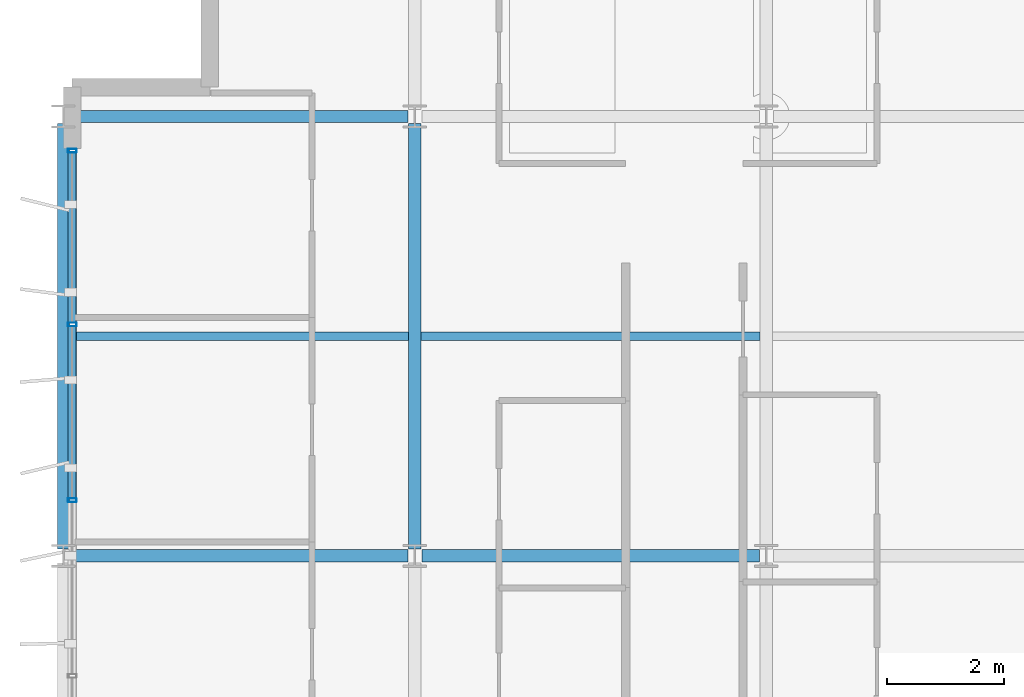
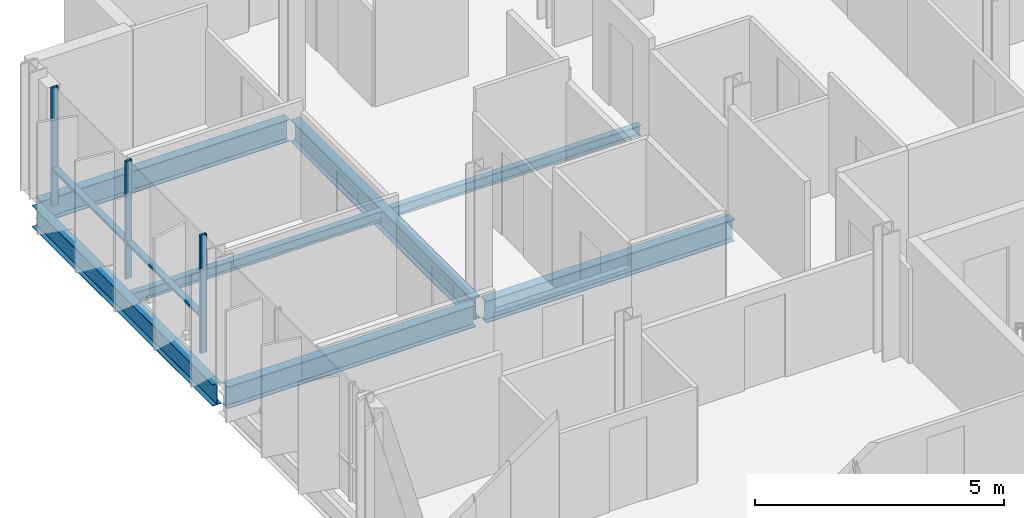
# One storey, part 5 of 28: 7 beams, 5 members, 1 element without a shape of its own.
"""IFC4 building model written with IfcOpenShell, lengths in metres."""

from ifc_helpers import new_model, si_unit, direction, frame, origin, origin_2d, place, context, subcontext, project, spatial, hollow_rectangle, i_section, extrude, material, layer, layer_set, material_profile, profile_set, type_object, element, aggregate, save


model = new_model("IFC4")

# Units and contexts
model_context = context("Model", 3, precision=1e-05, world=origin(), true_north=direction((0.0, 1.0)))
body_context = subcontext(model_context, "Body", "Model", "MODEL_VIEW")
ifc_project = project(units=[si_unit("LENGTHUNIT", "METRE"), si_unit("AREAUNIT", "SQUARE_METRE"), si_unit("VOLUMEUNIT", "CUBIC_METRE"), si_unit("PLANEANGLEUNIT", "RADIAN"), si_unit("MASSUNIT", "GRAM", prefix="KILO")], contexts=[model_context])

# Site, building, storey
site_placement = place(None, origin())
site = spatial("IfcSite", under=ifc_project, at=site_placement, CompositionType="ELEMENT")
building_placement = place(site_placement, origin())
building = spatial("IfcBuilding", under=site, at=building_placement, Name="Brevholm Reach", CompositionType="ELEMENT")
storey_placement = place(building_placement, frame((0.0, 0.0, 192.5)))
storey = spatial("IfcBuildingStorey", under=building, at=storey_placement, Name="L58", CompositionType="ELEMENT", Elevation=192.5)

# Beams
ifc_material_1 = material(Name="Structural Steel S355J2", Category="steel")
ifc_material_profile_1 = material_profile(ifc_material_1, i_section(OverallWidth=0.14599609375, OverallDepth=0.25146484375, WebThickness=0.006103515625, FlangeThickness=0.008544921875, FilletRadius=0.007568359375, at=origin_2d()), Name="UKB 254x146x31")
ifc_profile_set_1 = profile_set([ifc_material_profile_1], Name="Structural Steel S355J2")
beam_type_1 = type_object("IfcBeamType", Name="BM-B254", PredefinedType="BEAM", material=ifc_profile_set_1)
beam_1_placement = place(storey_placement, frame((0.104736328125, 19.75, -0.335693359375), z_axis=(1.0, 0.0, 0.0), x_axis=(0.0, 1.0, 0.0)))
element("IfcBeam", 1, at=beam_1_placement, inside=storey, type_object=beam_type_1, Name="L58 Composite Secondary Floor Beam", PredefinedType="BEAM", context=body_context, shape_type="SweptSolid", body=[
    extrude(i_section(OverallWidth=0.14599609375, OverallDepth=0.25146484375, WebThickness=0.006103515625, FlangeThickness=0.008544921875, FilletRadius=0.007568359375, at=origin_2d()), origin(), (0.0, 0.0, 1.0), 5.789794921875),
])
beam_2_placement = place(storey_placement, frame((6.10546875, 19.75, -0.335693359375), z_axis=(1.0, 0.0, 0.0), x_axis=(0.0, 1.0, 0.0)))
element("IfcBeam", 2, at=beam_2_placement, inside=storey, type_object=beam_type_1, Name="L58 Composite Secondary Floor Beam", PredefinedType="BEAM", context=body_context, shape_type="SweptSolid", body=[
    extrude(i_section(OverallWidth=0.14599609375, OverallDepth=0.25146484375, WebThickness=0.006103515625, FlangeThickness=0.008544921875, FilletRadius=0.007568359375, at=origin_2d()), origin(), (0.0, 0.0, 1.0), 5.7890625),
])
ifc_material_2 = material(Name="Structural Steel S355J2", Category="steel")
ifc_material_profile_2 = material_profile(ifc_material_2, i_section(OverallWidth=0.209228515625, OverallDepth=0.533203125, WebThickness=0.010009765625, FlangeThickness=0.015625, FilletRadius=0.0126953125, at=origin_2d()), Name="UKB 533x210x92")
ifc_profile_set_2 = profile_set([ifc_material_profile_2], Name="Structural Steel S355J2")
beam_type_2 = type_object("IfcBeamType", Name="BM-SP533", PredefinedType="SPANDREL", material=ifc_profile_set_2)
beam_3_placement = place(storey_placement, frame((0.0, 16.1201171875, -0.4765625), z_axis=(0.0, 1.0, 0.0), x_axis=(-1.0, 0.0, 0.0)))
element("IfcBeam", 3, at=beam_3_placement, inside=storey, type_object=beam_type_2, Name="L58 SP-02 Framing Beam", PredefinedType="SPANDREL", context=body_context, shape_type="SweptSolid", body=[
    extrude(i_section(OverallWidth=0.209228515625, OverallDepth=0.533203125, WebThickness=0.010009765625, FlangeThickness=0.015625, FilletRadius=0.0126953125, at=origin_2d()), origin(), (0.0, 0.0, 1.0), 7.259765625),
])
ifc_material_3 = material(Name="Structural Steel S355J2", Category="steel")
ifc_material_profile_3 = material_profile(ifc_material_3, i_section(OverallWidth=0.210693359375, OverallDepth=0.53955078125, WebThickness=0.01171875, FlangeThickness=0.018798828125, FilletRadius=0.0126953125, at=origin_2d()), Name="UKB 533x210x109")
ifc_profile_set_3 = profile_set([ifc_material_profile_3], Name="Structural Steel S355J2")
beam_type_3 = type_object("IfcBeamType", Name="BM-SP539", PredefinedType="SPANDREL", material=ifc_profile_set_3)
for number, where, z_axis, x_axis, name in (
    (4, (0.1201171875, 16.0, -0.479736328125), (1.0, 0.0, 0.0), (0.0, 1.0, 0.0), "L58 SP-01B Framing Beam"),
    (5, (6.1201171875, 16.0, -0.479736328125), (1.0, 0.0, 0.0), (0.0, 1.0, 0.0), "L58 SP-01B Framing Beam"),
    (6, (0.1201171875, 23.5, -0.479736328125), (1.0, 0.0, 0.0), (0.0, 1.0, 0.0), "L58 SP-01B Framing Beam"),
):
    element("IfcBeam", number, at=place(storey_placement, frame(where, z_axis=z_axis, x_axis=x_axis)), inside=storey, type_object=beam_type_3, Name=name, PredefinedType="SPANDREL", context=body_context, shape_type="SweptSolid", body=[
        extrude(i_section(OverallWidth=0.210693359375, OverallDepth=0.53955078125, WebThickness=0.01171875, FlangeThickness=0.018798828125, FilletRadius=0.0126953125, at=origin_2d()), origin(), (0.0, 0.0, 1.0), 5.759765625),
    ])
beam_4_placement = place(storey_placement, frame((6.0, 16.1201171875, -0.479736328125), z_axis=(0.0, 1.0, 0.0), x_axis=(-1.0, 0.0, 0.0)))
element("IfcBeam", 7, at=beam_4_placement, inside=storey, type_object=beam_type_3, Name="L58 SP-01B Framing Beam", PredefinedType="SPANDREL", context=body_context, shape_type="SweptSolid", body=[
    extrude(i_section(OverallWidth=0.210693359375, OverallDepth=0.53955078125, WebThickness=0.01171875, FlangeThickness=0.018798828125, FilletRadius=0.0126953125, at=origin_2d()), origin(), (0.0, 0.0, 1.0), 7.259765625),
])

# Curtain wall, members
ifc_material_4 = material(Name="Dark Anodised Aluminium 6063-T6 and Solar-Control Glass", Category="aluminium")
ifc_layer = layer(ifc_material_4, 0.14990234375)
ifc_layer_set = layer_set([ifc_layer], Name="Dark Anodised Aluminium 6063-T6 and Solar-Control Glass")
curtain_wall_type = type_object("IfcCurtainWallType", Name="CW-01", PredefinedType="NOTDEFINED", material=ifc_layer_set)
curtain_wall_placement = place(storey_placement, origin())
curtain_wall = element("IfcCurtainWall", 8, at=curtain_wall_placement, inside=storey, type_object=curtain_wall_type, Name="L58 Curtain Wall CW-01", PredefinedType="NOTDEFINED")
ifc_material_5 = material(Name="Dark Anodised Aluminium 6063-T6", Category="aluminium")
ifc_material_profile_4 = material_profile(ifc_material_5, hollow_rectangle(XDim=0.06494140625, YDim=0.14990234375, WallThickness=0.0048828125, InnerFilletRadius=0.0048828125, OuterFilletRadius=0.010009765625, at=origin_2d()), Name="RHS 150x65x5")
ifc_profile_set_4 = profile_set([ifc_material_profile_4], Name="Dark Anodised Aluminium 6063-T6")
member_type_1 = type_object("IfcMemberType", Name="CWM-150", PredefinedType="MULLION", material=ifc_profile_set_4)
member_1_placement = place(storey_placement, frame((0.14990234375, 22.91748046875, 0.0), z_axis=(0.0, 0.0, 1.0), x_axis=(0.0, -1.0, 0.0)))
member_1 = element("IfcMember", 9, at=member_1_placement, type_object=member_type_1, Name="CM-150 Mullion 1", PredefinedType="MULLION", context=body_context, shape_type="SweptSolid", body=[
    extrude(hollow_rectangle(XDim=0.06494140625, YDim=0.14990234375, WallThickness=0.0048828125, InnerFilletRadius=0.0048828125, OuterFilletRadius=0.010009765625, at=origin_2d()), origin(), (0.0, 0.0, 1.0), 2.889892578125),
])
member_2_placement = place(storey_placement, frame((0.14990234375, 19.949951171875, 0.0), z_axis=(0.0, 0.0, 1.0), x_axis=(0.0, -1.0, 0.0)))
member_2 = element("IfcMember", 10, at=member_2_placement, type_object=member_type_1, Name="CM-150 Mullion 2", PredefinedType="MULLION", context=body_context, shape_type="SweptSolid", body=[
    extrude(hollow_rectangle(XDim=0.06494140625, YDim=0.14990234375, WallThickness=0.0048828125, InnerFilletRadius=0.0048828125, OuterFilletRadius=0.010009765625, at=origin_2d()), origin(), (0.0, 0.0, 1.0), 2.889892578125),
])
member_3_placement = place(storey_placement, frame((0.14990234375, 16.949951171875, 0.0), z_axis=(0.0, 0.0, 1.0), x_axis=(0.0, -1.0, 0.0)))
member_3 = element("IfcMember", 11, at=member_3_placement, type_object=member_type_1, Name="CM-150 Mullion 3", PredefinedType="MULLION", context=body_context, shape_type="SweptSolid", body=[
    extrude(hollow_rectangle(XDim=0.06494140625, YDim=0.14990234375, WallThickness=0.0048828125, InnerFilletRadius=0.0048828125, OuterFilletRadius=0.010009765625, at=origin_2d()), origin(), (0.0, 0.0, 1.0), 2.889892578125),
])
ifc_material_6 = material(Name="Dark Anodised Aluminium 6063-T6", Category="aluminium")
ifc_material_profile_5 = material_profile(ifc_material_6, hollow_rectangle(XDim=0.06494140625, YDim=0.14990234375, WallThickness=0.0048828125, InnerFilletRadius=0.0048828125, OuterFilletRadius=0.010009765625, at=origin_2d()), Name="RHS 150x65x5")
ifc_profile_set_5 = profile_set([ifc_material_profile_5], Name="Dark Anodised Aluminium 6063-T6")
member_type_2 = type_object("IfcMemberType", Name="CWT-150", PredefinedType="NOTDEFINED", material=ifc_profile_set_5)
member_4_placement = place(storey_placement, frame((0.14990234375, 22.885009765625, 0.89990234375), z_axis=(0.0, -1.0, 0.0), x_axis=(0.0, 0.0, 1.0)))
member_4 = element("IfcMember", 12, at=member_4_placement, type_object=member_type_2, Name="CT-150 Transom 1.1", ObjectType="TRANSOM", PredefinedType="USERDEFINED", context=body_context, shape_type="SweptSolid", body=[
    extrude(hollow_rectangle(XDim=0.06494140625, YDim=0.14990234375, WallThickness=0.0048828125, InnerFilletRadius=0.0048828125, OuterFilletRadius=0.010009765625, at=origin_2d()), origin(), (0.0, 0.0, 1.0), 2.902587890625),
])
member_5_placement = place(storey_placement, frame((0.14990234375, 19.91748046875, 0.89990234375), z_axis=(0.0, -1.0, 0.0), x_axis=(0.0, 0.0, 1.0)))
member_5 = element("IfcMember", 13, at=member_5_placement, type_object=member_type_2, Name="CT-150 Transom 2.1", ObjectType="TRANSOM", PredefinedType="USERDEFINED", context=body_context, shape_type="SweptSolid", body=[
    extrude(hollow_rectangle(XDim=0.06494140625, YDim=0.14990234375, WallThickness=0.0048828125, InnerFilletRadius=0.0048828125, OuterFilletRadius=0.010009765625, at=origin_2d()), origin(), (0.0, 0.0, 1.0), 2.93505859375),
])
aggregate(curtain_wall, [member_1, member_2, member_3, member_4, member_5])

save(model, "model.ifc")
